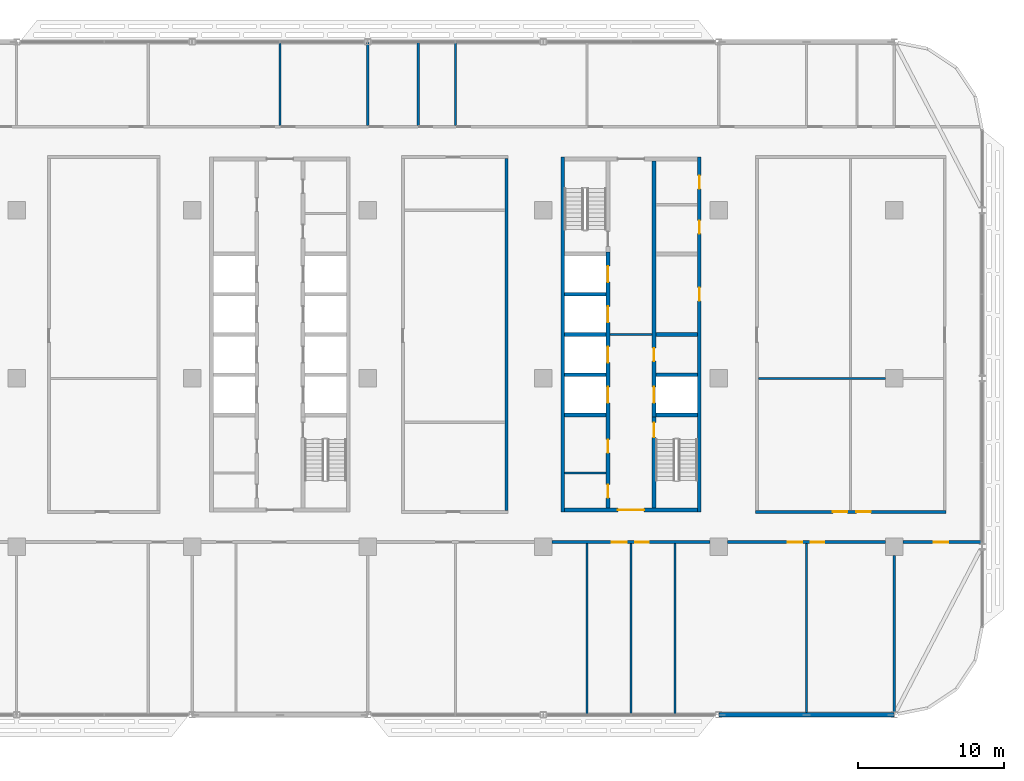
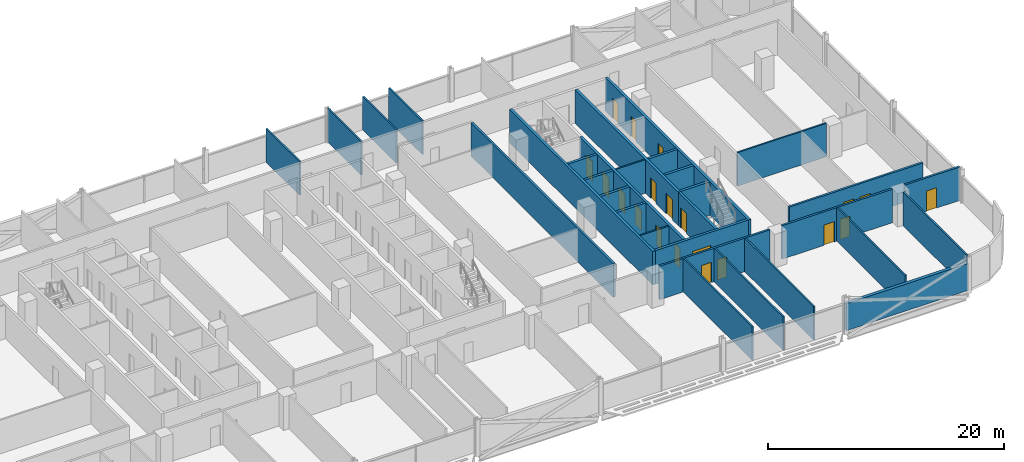
# One storey, part 15 of 27: 31 walls, 20 doors, 20 openings.
"""IFC4 building model written with IfcOpenShell, lengths in metres."""

import ifcopenshell
import ifcopenshell.guid

model = None  # the IFC model being written
_history = None  # IfcOwnerHistory: only IFC2X3 demands one
_inside = {}  # id of a spatial element -> (the spatial element, [elements in it])
_under = {}  # id of a project, library or spatial element -> (it, [spatial elements below it])
_declared = {}  # id of a project -> (the project, [libraries it declares])
_typed = {}  # id of a type object -> (the type object, [elements of that type])
_made_of = {}  # id of a material, layer set ... -> (it, [elements and type objects made of it])


def new_model(schema):
    """Start an empty IFC model of exactly this schema.

    Asked for "IFC4X3", IfcOpenShell would pick the latest addendum, in which some entities
    have other attributes; the version numbers below select the first issue.
    IFC2X3 requires an IfcOwnerHistory on every rooted entity: one is made here for all.
    """
    global model, _history
    if schema == "IFC4X3":
        model = ifcopenshell.file(schema_version=(4, 3, 0, 0))
    else:
        model = ifcopenshell.file(schema=schema)
    _inside.clear()
    _under.clear()
    _declared.clear()
    _typed.clear()
    _made_of.clear()
    _history = None
    if model.schema == "IFC2X3":
        org = make("IfcOrganization", Name="unknown")
        user = make(
            "IfcPersonAndOrganization",
            ThePerson=make("IfcPerson", FamilyName="unknown"),
            TheOrganization=org,
        )
        app = make(
            "IfcApplication",
            ApplicationDeveloper=org,
            Version="unknown",
            ApplicationFullName="unknown",
            ApplicationIdentifier="unknown",
        )
        _history = make(
            "IfcOwnerHistory",
            OwningUser=user,
            OwningApplication=app,
            ChangeAction="ADDED",
            CreationDate=0,
        )
    return model


def make(cls, **values):
    """One entity of the class cls with the attributes given. An attribute that is None is left unset."""
    return model.create_entity(
        cls, **{name: value for name, value in values.items() if value is not None}
    )


def rooted(cls, **values):
    """An entity with a GlobalId (a new one), such as an element, a storey or a relation."""
    return make(cls, GlobalId=ifcopenshell.guid.new(), OwnerHistory=_history, **values)


def si_unit(unit_type, name, prefix=None):
    """IfcSIUnit, for example si_unit("LENGTHUNIT", "METRE", prefix="MILLI")."""
    return make("IfcSIUnit", UnitType=unit_type, Prefix=prefix, Name=name)


def assignment(units):
    """IfcUnitAssignment: the units of a project."""
    return None if units is None else make("IfcUnitAssignment", Units=units)


def point(xyz):
    """IfcCartesianPoint."""
    return None if xyz is None else make("IfcCartesianPoint", Coordinates=xyz)


def direction(xyz):
    """IfcDirection."""
    return None if xyz is None else make("IfcDirection", DirectionRatios=xyz)


def frame(location, z_axis=None, x_axis=None):
    """IfcAxis2Placement3D, a coordinate frame: its origin and axes. An axis left out is left unset."""
    return make(
        "IfcAxis2Placement3D",
        Location=point(location),
        Axis=direction(z_axis),
        RefDirection=direction(x_axis),
    )


def frame_2d(location, x_axis=None):
    """IfcAxis2Placement2D, a coordinate frame in the plane: its origin and x axis."""
    return make(
        "IfcAxis2Placement2D", Location=point(location), RefDirection=direction(x_axis)
    )


def origin():
    """The frame at (0, 0, 0) with its axes left unset."""
    return frame((0.0, 0.0, 0.0))


def place(relative_to, where):
    """IfcLocalPlacement: puts the frame where relative to a parent placement (None: the world)."""
    return make(
        "IfcLocalPlacement", PlacementRelTo=relative_to, RelativePlacement=where
    )


def context(
    kind, dimensions, precision=None, world=None, true_north=None, identifier=None
):
    """IfcGeometricRepresentationContext, for example the 3D "Model" context."""
    return make(
        "IfcGeometricRepresentationContext",
        ContextIdentifier=identifier,
        ContextType=kind,
        CoordinateSpaceDimension=dimensions,
        Precision=precision,
        WorldCoordinateSystem=world,
        TrueNorth=true_north,
    )


def subcontext(parent, identifier, kind, view, scale=None):
    """IfcGeometricRepresentationSubContext, for example "Body" below "Model"."""
    return make(
        "IfcGeometricRepresentationSubContext",
        ContextIdentifier=identifier,
        ContextType=kind,
        ParentContext=parent,
        TargetScale=scale,
        TargetView=view,
    )


def project(units=None, contexts=None):
    """IfcProject with its units and contexts."""
    return rooted(
        "IfcProject",
        Name="project",
        RepresentationContexts=contexts,
        UnitsInContext=assignment(units),
    )


def spatial(cls, under=None, at=None, **own):
    """A site, building, storey or space (cls), placed at a placement, below another one or the project."""
    s = rooted(cls, ObjectPlacement=at, **own)
    if under is not None:
        _under.setdefault(under.id(), (under, []))[1].append(s)
    return s


def profile(cls, at=None, kind="AREA", **sizes):
    """A parametric profile (cls). Its sizes go by their IFC names, for example OverallWidth=200.0."""
    return make(cls, ProfileType=kind, Position=at, **sizes)


def rectangle(**sizes):
    """IfcRectangleProfileDef."""
    return profile("IfcRectangleProfileDef", **sizes)


def extrude(swept, where, along, depth):
    """IfcExtrudedAreaSolid: the profile swept, set in the frame where, extruded along a direction by depth."""
    return make(
        "IfcExtrudedAreaSolid",
        SweptArea=swept,
        Position=where,
        ExtrudedDirection=direction(along),
        Depth=depth,
    )


def shape(context_of_items, identifier, shape_type, items):
    """IfcShapeRepresentation: the items that make up one representation, for example the "Body"."""
    return make(
        "IfcShapeRepresentation",
        ContextOfItems=context_of_items,
        RepresentationIdentifier=identifier,
        RepresentationType=shape_type,
        Items=items,
    )


def material(Name=None, Category=None):
    """IfcMaterial."""
    return make("IfcMaterial", Name=Name, Category=Category)


def layer(
    of_material, thickness, ventilated=None, Name=None, Category=None, Priority=None
):
    """IfcMaterialLayer: one layer of a wall or slab, of a material (None: an air gap)."""
    return make(
        "IfcMaterialLayer",
        Material=of_material,
        LayerThickness=thickness,
        IsVentilated=ventilated,
        Name=Name,
        Category=Category,
        Priority=Priority,
    )


def layer_set(layers, Name=None):
    """IfcMaterialLayerSet."""
    return make("IfcMaterialLayerSet", MaterialLayers=layers, LayerSetName=Name)


def made_of(thing, what):
    """Note that an element or type object is made of a material, layer set ...; save() writes the relation."""
    if what is not None:
        _made_of.setdefault(what.id(), (what, []))[1].append(thing)
    return thing


def type_object(cls, material=None, **own):
    """A type object (cls), such as IfcWallType, which elements share."""
    return made_of(rooted(cls, **own), material)


def element(
    cls,
    number,
    at=None,
    inside=None,
    cuts=None,
    type_object=None,
    material=None,
    context=None,
    identifier="Body",
    shape_type=None,
    held_by="IfcProductDefinitionShape",
    body=None,
    shapes=None,
    **own,
):
    """One element of the class cls, such as IfcWall. Its Tag is "e" and its number.

    at: its placement. inside: the storey or other place that contains it. cuts: it is an
    opening in that element (IfcRelVoidsElement). A single representation is given by context,
    identifier, shape_type and body (its items); several are given by shapes. held_by: the class
    of the entity that holds the representations. save() writes the other relations.
    """
    e = rooted(cls, Tag="e%d" % number, ObjectPlacement=at, **own)
    if body is not None:
        shapes = [shape(context, identifier, shape_type, body)]
    if shapes is not None:
        e.Representation = make(held_by, Representations=shapes)
    if inside is not None:
        _inside.setdefault(inside.id(), (inside, []))[1].append(e)
    if cuts is not None:
        rooted(
            "IfcRelVoidsElement", RelatingBuildingElement=cuts, RelatedOpeningElement=e
        )
    if type_object is not None:
        _typed.setdefault(type_object.id(), (type_object, []))[1].append(e)
    return made_of(e, material)


def fill(opening, filler):
    """IfcRelFillsElement: the door or window that sits in an opening."""
    return rooted(
        "IfcRelFillsElement",
        RelatingOpeningElement=opening,
        RelatedBuildingElement=filler,
    )


def aggregate(whole, parts):
    """IfcRelAggregates: a whole, such as a stair, and the parts it consists of."""
    return rooted("IfcRelAggregates", RelatingObject=whole, RelatedObjects=parts)


def save(model, path):
    """Write the relations noted so far, then the file.

    IfcRelAggregates (storeys below a building ...), IfcRelContainedInSpatialStructure (elements
    in a storey), IfcRelDefinesByType, IfcRelAssociatesMaterial and IfcRelDeclares: one each for
    every whole, place, type object, material and project.
    """
    for whole, parts in _under.values():
        aggregate(whole, parts)
    for where, things in _inside.values():
        rooted(
            "IfcRelContainedInSpatialStructure",
            RelatedElements=things,
            RelatingStructure=where,
        )
    for kind, things in _typed.values():
        rooted("IfcRelDefinesByType", RelatedObjects=things, RelatingType=kind)
    for what, things in _made_of.values():
        rooted("IfcRelAssociatesMaterial", RelatedObjects=things, RelatingMaterial=what)
    for by, libraries in _declared.values():
        rooted("IfcRelDeclares", RelatingContext=by, RelatedDefinitions=libraries)
    model.write(path)


model = new_model("IFC4")

# Units and contexts
model_context = context("Model", 3, precision=1e-05, world=origin(), true_north=direction((0.0, 1.0)))
body_context = subcontext(model_context, "Body", "Model", "MODEL_VIEW")
ifc_project = project(units=[si_unit("LENGTHUNIT", "METRE"), si_unit("AREAUNIT", "SQUARE_METRE"), si_unit("VOLUMEUNIT", "CUBIC_METRE"), si_unit("PLANEANGLEUNIT", "RADIAN"), si_unit("MASSUNIT", "GRAM", prefix="KILO")], contexts=[model_context])

# Site, building, storey
site_placement = place(None, origin())
site = spatial("IfcSite", under=ifc_project, at=site_placement, CompositionType="ELEMENT")
building_placement = place(site_placement, origin())
building = spatial("IfcBuilding", under=site, at=building_placement, Name="Mahtab Terrace Research Tower", CompositionType="ELEMENT")
storey_placement = place(building_placement, frame((0.0, 0.0, 182.0)))
storey = spatial("IfcBuildingStorey", under=building, at=storey_placement, Name="L43", CompositionType="ELEMENT", Elevation=182.0)

# Walls
ifc_material_1 = material(Name="Gypsum board partition")
ifc_layer_1 = layer(ifc_material_1, 0.14990234375)
ifc_layer_set_1 = layer_set([ifc_layer_1], Name="Core partition 150")
wall_type_1 = type_object("IfcWallType", Name="Core partition 150", PredefinedType="PARTITIONING", material=ifc_layer_set_1)
wall_1_placement = place(storey_placement, frame((22.550048828125, 3.0, 0.0), z_axis=(0.0, 0.0, 1.0), x_axis=(1.0, 0.0, 0.0)))
element("IfcWall", 1, at=wall_1_placement, inside=storey, type_object=wall_type_1, Name="Core wall C ffl", PredefinedType="PARTITIONING", context=body_context, shape_type="SweptSolid", body=[
    extrude(rectangle(XDim=2.89990234375, YDim=0.14990234375, at=frame_2d((1.449951171875, 0.0))), origin(), (0.0, 0.0, 1.0), 3.4599609375),
])
wall_2_placement = place(storey_placement, frame((19.449951171875, -6.47509765625, 0.0), z_axis=(0.0, 0.0, 1.0), x_axis=(1.0, 0.0, 0.0)))
element("IfcWall", 2, at=wall_2_placement, inside=storey, type_object=wall_type_1, Name="Core wall C pWS-948", PredefinedType="PARTITIONING", context=body_context, shape_type="SweptSolid", body=[
    extrude(rectangle(XDim=2.85009765625, YDim=0.14990234375, at=frame_2d((1.425048828125, 0.0))), origin(), (0.0, 0.0, 1.0), 3.4599609375),
])
ifc_material_2 = material(Name="Concrete C70/85", Category="concrete")
ifc_layer_2 = layer(ifc_material_2, 0.25)
ifc_layer_set_2 = layer_set([ifc_layer_2], Name="Core wall 250")
wall_type_2 = type_object("IfcWallType", Name="Core wall 250", PredefinedType="SOLIDWALL", material=ifc_layer_set_2)
wall_3_placement = place(storey_placement, frame((19.324951171875, 15.125, 0.0), z_axis=(0.0, 0.0, 1.0), x_axis=(0.0, -1.0, 0.0)))
element("IfcWall", 3, at=wall_3_placement, inside=storey, type_object=wall_type_2, Name="Core wall C outerW", PredefinedType="SOLIDWALL", context=body_context, shape_type="SweptSolid", body=[
    extrude(rectangle(XDim=24.25, YDim=0.25, at=frame_2d((12.125, 0.0))), origin(), (0.0, 0.0, 1.0), 3.4599609375),
])

# Wall, openings, doors
wall_4_placement = place(storey_placement, frame((28.675048828125, -9.125, 0.0), z_axis=(0.0, 0.0, 1.0), x_axis=(0.0, 1.0, 0.0)))
wall_4 = element("IfcWall", 4, at=wall_4_placement, inside=storey, type_object=wall_type_2, Name="Core wall C outerE", PredefinedType="SOLIDWALL", context=body_context, shape_type="SweptSolid", body=[
    extrude(rectangle(XDim=24.25, YDim=0.25, at=frame_2d((12.125, 0.0))), origin(), (0.0, 0.0, 1.0), 3.4599609375),
])
opening_1_placement = place(wall_4_placement, frame((14.425048828125, 0.0, 0.0)))
opening_1 = element("IfcOpeningElement", 5, at=opening_1_placement, cuts=wall_4, Name="Opening C-R2", PredefinedType="OPENING", context=body_context, shape_type="SweptSolid", body=[
    extrude(rectangle(XDim=0.89990234375, YDim=2.10009765625, at=frame_2d((0.449951171875, 1.050048828125))), frame((0.0, 0.135009765625, 0.0), z_axis=(0.0, -1.0, 0.0), x_axis=(1.0, 0.0, 0.0)), (0.0, 0.0, 1.0), 0.27001953125),
])
opening_2_placement = place(wall_4_placement, frame((19.012451171875, 0.0, 0.0)))
opening_2 = element("IfcOpeningElement", 6, at=opening_2_placement, cuts=wall_4, Name="Opening C-R5", PredefinedType="OPENING", context=body_context, shape_type="SweptSolid", body=[
    extrude(rectangle(XDim=0.89990234375, YDim=2.10009765625, at=frame_2d((0.449951171875, 1.050048828125))), frame((0.0, 0.135009765625, 0.0), z_axis=(0.0, -1.0, 0.0), x_axis=(1.0, 0.0, 0.0)), (0.0, 0.0, 1.0), 0.27001953125),
])
opening_3_placement = place(wall_4_placement, frame((22.08740234375, 0.0, 0.0)))
opening_3 = element("IfcOpeningElement", 7, at=opening_3_placement, cuts=wall_4, Name="Opening C-R6", PredefinedType="OPENING", context=body_context, shape_type="SweptSolid", body=[
    extrude(rectangle(XDim=0.89990234375, YDim=2.10009765625, at=frame_2d((0.449951171875, 1.050048828125))), frame((0.0, 0.135009765625, 0.0), z_axis=(0.0, -1.0, 0.0), x_axis=(1.0, 0.0, 0.0)), (0.0, 0.0, 1.0), 0.27001953125),
])
ifc_material_3 = material(Name="Steel fire door", Category="steel")
door_type_1 = type_object("IfcDoorType", Name="Room door 900x2100 1 HR", OperationType="NOTDEFINED", PredefinedType="DOOR", material=ifc_material_3)
door_1_placement = place(opening_1_placement, origin())
door_1 = element("IfcDoor", 8, at=door_1_placement, inside=storey, type_object=door_type_1, Name="Plant room door", OperationType="SINGLE_SWING_RIGHT", OverallHeight=2.10009765625, OverallWidth=0.89990234375, PredefinedType="DOOR", context=body_context, shape_type="SweptSolid", body=[
    extrude(rectangle(XDim=0.89990234375, YDim=2.10009765625, at=frame_2d((0.449951171875, 1.050048828125))), frame((0.0, 0.02490234375, 0.0), z_axis=(0.0, -1.0, 0.0), x_axis=(1.0, 0.0, 0.0)), (0.0, 0.0, 1.0), 0.050048828125),
])
fill(opening_1, door_1)
door_2_placement = place(opening_2_placement, origin())
door_2 = element("IfcDoor", 9, at=door_2_placement, inside=storey, type_object=door_type_1, Name="Housekeeping store door", OperationType="SINGLE_SWING_LEFT", OverallHeight=2.10009765625, OverallWidth=0.89990234375, PredefinedType="DOOR", context=body_context, shape_type="SweptSolid", body=[
    extrude(rectangle(XDim=0.89990234375, YDim=2.10009765625, at=frame_2d((0.449951171875, 1.050048828125))), frame((0.0, 0.02490234375, 0.0), z_axis=(0.0, -1.0, 0.0), x_axis=(1.0, 0.0, 0.0)), (0.0, 0.0, 1.0), 0.050048828125),
])
fill(opening_2, door_2)
door_3_placement = place(opening_3_placement, origin())
door_3 = element("IfcDoor", 10, at=door_3_placement, inside=storey, type_object=door_type_1, Name="Electrical riser room door", OperationType="SINGLE_SWING_RIGHT", OverallHeight=2.10009765625, OverallWidth=0.89990234375, PredefinedType="DOOR", context=body_context, shape_type="SweptSolid", body=[
    extrude(rectangle(XDim=0.89990234375, YDim=2.10009765625, at=frame_2d((0.449951171875, 1.050048828125))), frame((0.0, 0.02490234375, 0.0), z_axis=(0.0, -1.0, 0.0), x_axis=(1.0, 0.0, 0.0)), (0.0, 0.0, 1.0), 0.050048828125),
])
fill(opening_3, door_3)

# Wall, opening, door
wall_5_placement = place(storey_placement, frame((28.550048828125, -9.0, 0.0), z_axis=(0.0, 0.0, 1.0), x_axis=(-1.0, 0.0, 0.0)))
wall_5 = element("IfcWall", 11, at=wall_5_placement, inside=storey, type_object=wall_type_2, Name="Core wall C endS", PredefinedType="SOLIDWALL", context=body_context, shape_type="SweptSolid", body=[
    extrude(rectangle(XDim=9.10009765625, YDim=0.25, at=frame_2d((4.550048828125, 0.0))), origin(), (0.0, 0.0, 1.0), 3.4599609375),
])
opening_4_placement = place(wall_5_placement, frame((3.64990234375, 0.0, 0.0)))
opening_4 = element("IfcOpeningElement", 12, at=opening_4_placement, cuts=wall_5, Name="Opening C-S1", PredefinedType="OPENING", context=body_context, shape_type="SweptSolid", body=[
    extrude(rectangle(XDim=1.800048828125, YDim=2.10009765625, at=frame_2d((0.89990234375, 1.050048828125))), frame((0.0, 0.135009765625, 0.0), z_axis=(0.0, -1.0, 0.0), x_axis=(1.0, 0.0, 0.0)), (0.0, 0.0, 1.0), 0.27001953125),
])
door_type_2 = type_object("IfcDoorType", Name="Lobby double door 1800x2100 1 HR", OperationType="DOUBLE_DOOR_SINGLE_SWING", PredefinedType="DOOR", material=ifc_material_3)
door_4_placement = place(opening_4_placement, origin())
door_4 = element("IfcDoor", 13, at=door_4_placement, inside=storey, type_object=door_type_2, Name="Core entrance door C S", OperationType="DOUBLE_DOOR_SINGLE_SWING", OverallHeight=2.10009765625, OverallWidth=1.800048828125, PredefinedType="DOOR", context=body_context, shape_type="SweptSolid", body=[
    extrude(rectangle(XDim=1.800048828125, YDim=2.10009765625, at=frame_2d((0.89990234375, 1.050048828125))), frame((0.0, 0.02490234375, 0.0), z_axis=(0.0, -1.0, 0.0), x_axis=(1.0, 0.0, 0.0)), (0.0, 0.0, 1.0), 0.050048828125),
])
fill(opening_4, door_4)

# Wall, openings, doors
wall_6_placement = place(storey_placement, frame((22.425048828125, -8.875, 0.0), z_axis=(0.0, 0.0, 1.0), x_axis=(0.0, 1.0, 0.0)))
wall_6 = element("IfcWall", 14, at=wall_6_placement, inside=storey, type_object=wall_type_2, Name="Core wall C innerWSL", PredefinedType="SOLIDWALL", context=body_context, shape_type="SweptSolid", body=[
    extrude(rectangle(XDim=17.5, YDim=0.25, at=frame_2d((8.75, 0.0))), origin(), (0.0, 0.0, 1.0), 3.4599609375),
])
opening_5_placement = place(wall_6_placement, frame((7.199951171875, 0.0, 0.0)))
opening_5 = element("IfcOpeningElement", 15, at=opening_5_placement, cuts=wall_6, Name="Opening LD17-L43", PredefinedType="OPENING", context=body_context, shape_type="SweptSolid", body=[
    extrude(rectangle(XDim=1.10009765625, YDim=2.10009765625, at=frame_2d((0.550048828125, 1.050048828125))), frame((0.0, 0.135009765625, 0.0), z_axis=(0.0, -1.0, 0.0), x_axis=(1.0, 0.0, 0.0)), (0.0, 0.0, 1.0), 0.27001953125),
])
opening_6_placement = place(wall_6_placement, frame((9.949951171875, 0.0, 0.0)))
opening_6 = element("IfcOpeningElement", 16, at=opening_6_placement, cuts=wall_6, Name="Opening LD18-L43", PredefinedType="OPENING", context=body_context, shape_type="SweptSolid", body=[
    extrude(rectangle(XDim=1.10009765625, YDim=2.10009765625, at=frame_2d((0.550048828125, 1.050048828125))), frame((0.0, 0.135009765625, 0.0), z_axis=(0.0, -1.0, 0.0), x_axis=(1.0, 0.0, 0.0)), (0.0, 0.0, 1.0), 0.27001953125),
])
opening_7_placement = place(wall_6_placement, frame((12.699951171875, 0.0, 0.0)))
opening_7 = element("IfcOpeningElement", 17, at=opening_7_placement, cuts=wall_6, Name="Opening LD19-L43", PredefinedType="OPENING", context=body_context, shape_type="SweptSolid", body=[
    extrude(rectangle(XDim=1.10009765625, YDim=2.10009765625, at=frame_2d((0.550048828125, 1.050048828125))), frame((0.0, 0.135009765625, 0.0), z_axis=(0.0, -1.0, 0.0), x_axis=(1.0, 0.0, 0.0)), (0.0, 0.0, 1.0), 0.27001953125),
])
opening_8_placement = place(wall_6_placement, frame((15.449951171875, 0.0, 0.0)))
opening_8 = element("IfcOpeningElement", 18, at=opening_8_placement, cuts=wall_6, Name="Opening LD20-L43", PredefinedType="OPENING", context=body_context, shape_type="SweptSolid", body=[
    extrude(rectangle(XDim=1.10009765625, YDim=2.10009765625, at=frame_2d((0.550048828125, 1.050048828125))), frame((0.0, 0.135009765625, 0.0), z_axis=(0.0, -1.0, 0.0), x_axis=(1.0, 0.0, 0.0)), (0.0, 0.0, 1.0), 0.27001953125),
])
opening_9_placement = place(wall_6_placement, frame((0.71240234375, 0.0, 0.0)))
opening_9 = element("IfcOpeningElement", 19, at=opening_9_placement, cuts=wall_6, Name="Opening C-R3", PredefinedType="OPENING", context=body_context, shape_type="SweptSolid", body=[
    extrude(rectangle(XDim=0.89990234375, YDim=2.10009765625, at=frame_2d((0.449951171875, 1.050048828125))), frame((0.0, 0.135009765625, 0.0), z_axis=(0.0, -1.0, 0.0), x_axis=(1.0, 0.0, 0.0)), (0.0, 0.0, 1.0), 0.27001953125),
])
opening_10_placement = place(wall_6_placement, frame((3.78759765625, 0.0, 0.0)))
opening_10 = element("IfcOpeningElement", 20, at=opening_10_placement, cuts=wall_6, Name="Opening C-R4", PredefinedType="OPENING", context=body_context, shape_type="SweptSolid", body=[
    extrude(rectangle(XDim=0.89990234375, YDim=2.10009765625, at=frame_2d((0.449951171875, 1.050048828125))), frame((0.0, 0.135009765625, 0.0), z_axis=(0.0, -1.0, 0.0), x_axis=(1.0, 0.0, 0.0)), (0.0, 0.0, 1.0), 0.27001953125),
])
ifc_material_4 = material(Name="Stainless steel AISI 304", Category="steel")
door_type_3 = type_object("IfcDoorType", Name="Landing door 1100x2100", OperationType="DOUBLE_DOOR_SLIDING", PredefinedType="DOOR", material=ifc_material_4)
door_5_placement = place(opening_5_placement, origin())
door_5 = element("IfcDoor", 21, at=door_5_placement, inside=storey, type_object=door_type_3, Name="Landing door SV1 L43", OperationType="DOUBLE_DOOR_SLIDING", OverallHeight=2.10009765625, OverallWidth=1.10009765625, PredefinedType="DOOR", context=body_context, shape_type="SweptSolid", body=[
    extrude(rectangle(XDim=1.10009765625, YDim=2.10009765625, at=frame_2d((0.550048828125, 1.050048828125))), frame((0.0, 0.02490234375, 0.0), z_axis=(0.0, -1.0, 0.0), x_axis=(1.0, 0.0, 0.0)), (0.0, 0.0, 1.0), 0.050048828125),
])
fill(opening_5, door_5)
door_6_placement = place(opening_6_placement, origin())
door_6 = element("IfcDoor", 22, at=door_6_placement, inside=storey, type_object=door_type_3, Name="Landing door SV2 L43", OperationType="DOUBLE_DOOR_SLIDING", OverallHeight=2.10009765625, OverallWidth=1.10009765625, PredefinedType="DOOR", context=body_context, shape_type="SweptSolid", body=[
    extrude(rectangle(XDim=1.10009765625, YDim=2.10009765625, at=frame_2d((0.550048828125, 1.050048828125))), frame((0.0, 0.02490234375, 0.0), z_axis=(0.0, -1.0, 0.0), x_axis=(1.0, 0.0, 0.0)), (0.0, 0.0, 1.0), 0.050048828125),
])
fill(opening_6, door_6)
door_7_placement = place(opening_7_placement, origin())
door_7 = element("IfcDoor", 23, at=door_7_placement, inside=storey, type_object=door_type_3, Name="Landing door FF1 L43", OperationType="DOUBLE_DOOR_SLIDING", OverallHeight=2.10009765625, OverallWidth=1.10009765625, PredefinedType="DOOR", context=body_context, shape_type="SweptSolid", body=[
    extrude(rectangle(XDim=1.10009765625, YDim=2.10009765625, at=frame_2d((0.550048828125, 1.050048828125))), frame((0.0, 0.02490234375, 0.0), z_axis=(0.0, -1.0, 0.0), x_axis=(1.0, 0.0, 0.0)), (0.0, 0.0, 1.0), 0.050048828125),
])
fill(opening_7, door_7)
door_8_placement = place(opening_8_placement, origin())
door_8 = element("IfcDoor", 24, at=door_8_placement, inside=storey, type_object=door_type_3, Name="Landing door FF2 L43", OperationType="DOUBLE_DOOR_SLIDING", OverallHeight=2.10009765625, OverallWidth=1.10009765625, PredefinedType="DOOR", context=body_context, shape_type="SweptSolid", body=[
    extrude(rectangle(XDim=1.10009765625, YDim=2.10009765625, at=frame_2d((0.550048828125, 1.050048828125))), frame((0.0, 0.02490234375, 0.0), z_axis=(0.0, -1.0, 0.0), x_axis=(1.0, 0.0, 0.0)), (0.0, 0.0, 1.0), 0.050048828125),
])
fill(opening_8, door_8)
door_9_placement = place(opening_9_placement, origin())
door_9 = element("IfcDoor", 25, at=door_9_placement, inside=storey, type_object=door_type_1, Name="Accessible WC door", OperationType="SINGLE_SWING_LEFT", OverallHeight=2.10009765625, OverallWidth=0.89990234375, PredefinedType="DOOR", context=body_context, shape_type="SweptSolid", body=[
    extrude(rectangle(XDim=0.89990234375, YDim=2.10009765625, at=frame_2d((0.449951171875, 1.050048828125))), frame((0.0, 0.02490234375, 0.0), z_axis=(0.0, -1.0, 0.0), x_axis=(1.0, 0.0, 0.0)), (0.0, 0.0, 1.0), 0.050048828125),
])
fill(opening_9, door_9)
door_10_placement = place(opening_10_placement, origin())
door_10 = element("IfcDoor", 26, at=door_10_placement, inside=storey, type_object=door_type_1, Name="WC block door", OperationType="SINGLE_SWING_RIGHT", OverallHeight=2.10009765625, OverallWidth=0.89990234375, PredefinedType="DOOR", context=body_context, shape_type="SweptSolid", body=[
    extrude(rectangle(XDim=0.89990234375, YDim=2.10009765625, at=frame_2d((0.449951171875, 1.050048828125))), frame((0.0, 0.02490234375, 0.0), z_axis=(0.0, -1.0, 0.0), x_axis=(1.0, 0.0, 0.0)), (0.0, 0.0, 1.0), 0.050048828125),
])
fill(opening_10, door_10)

# Wall, opening, door
wall_7_placement = place(storey_placement, frame((25.574951171875, -8.875, 0.0), z_axis=(0.0, 0.0, 1.0), x_axis=(0.0, 1.0, 0.0)))
wall_7 = element("IfcWall", 27, at=wall_7_placement, inside=storey, type_object=wall_type_2, Name="Core wall C innerES", PredefinedType="SOLIDWALL", context=body_context, shape_type="SweptSolid", body=[
    extrude(rectangle(XDim=6.25, YDim=0.25, at=frame_2d((3.125, 0.0))), origin(), (0.0, 0.0, 1.0), 3.4599609375),
])
opening_11_placement = place(wall_7_placement, frame((4.85009765625, 0.0, 0.0)))
opening_11 = element("IfcOpeningElement", 28, at=opening_11_placement, cuts=wall_7, Name="Opening C-ST4", PredefinedType="OPENING", context=body_context, shape_type="SweptSolid", body=[
    extrude(rectangle(XDim=1.0, YDim=2.10009765625, at=frame_2d((0.5, 1.050048828125))), frame((0.0, 0.135009765625, 0.0), z_axis=(0.0, -1.0, 0.0), x_axis=(1.0, 0.0, 0.0)), (0.0, 0.0, 1.0), 0.27001953125),
])
door_type_4 = type_object("IfcDoorType", Name="Stair door 1000x2100 1.5 HR", OperationType="NOTDEFINED", PredefinedType="DOOR", material=ifc_material_3)
door_11_placement = place(opening_11_placement, origin())
door_11 = element("IfcDoor", 29, at=door_11_placement, inside=storey, type_object=door_type_4, Name="Stair door ST4 L43", OperationType="SINGLE_SWING_RIGHT", OverallHeight=2.10009765625, OverallWidth=1.0, PredefinedType="DOOR", context=body_context, shape_type="SweptSolid", body=[
    extrude(rectangle(XDim=1.0, YDim=2.10009765625, at=frame_2d((0.5, 1.050048828125))), frame((0.0, 0.02490234375, 0.0), z_axis=(0.0, -1.0, 0.0), x_axis=(1.0, 0.0, 0.0)), (0.0, 0.0, 1.0), 0.050048828125),
])
fill(opening_11, door_11)

# Wall, openings, doors
wall_8_placement = place(storey_placement, frame((25.574951171875, 14.875, 0.0), z_axis=(0.0, 0.0, 1.0), x_axis=(0.0, -1.0, 0.0)))
wall_8 = element("IfcWall", 30, at=wall_8_placement, inside=storey, type_object=wall_type_2, Name="Core wall C innerELN", PredefinedType="SOLIDWALL", context=body_context, shape_type="SweptSolid", body=[
    extrude(rectangle(XDim=17.5, YDim=0.25, at=frame_2d((8.75, 0.0))), origin(), (0.0, 0.0, 1.0), 3.4599609375),
])
opening_12_placement = place(wall_8_placement, frame((15.449951171875, 0.0, 0.0)))
opening_12 = element("IfcOpeningElement", 31, at=opening_12_placement, cuts=wall_8, Name="Opening LD21-L43", PredefinedType="OPENING", context=body_context, shape_type="SweptSolid", body=[
    extrude(rectangle(XDim=1.10009765625, YDim=2.10009765625, at=frame_2d((0.550048828125, 1.050048828125))), frame((0.0, 0.135009765625, 0.0), z_axis=(0.0, -1.0, 0.0), x_axis=(1.0, 0.0, 0.0)), (0.0, 0.0, 1.0), 0.27001953125),
])
opening_13_placement = place(wall_8_placement, frame((12.800048828125, 0.0, 0.0)))
opening_13 = element("IfcOpeningElement", 32, at=opening_13_placement, cuts=wall_8, Name="Opening C-R1", PredefinedType="OPENING", context=body_context, shape_type="SweptSolid", body=[
    extrude(rectangle(XDim=0.89990234375, YDim=2.10009765625, at=frame_2d((0.449951171875, 1.050048828125))), frame((0.0, 0.135009765625, 0.0), z_axis=(0.0, -1.0, 0.0), x_axis=(1.0, 0.0, 0.0)), (0.0, 0.0, 1.0), 0.27001953125),
])
door_12_placement = place(opening_12_placement, origin())
door_12 = element("IfcDoor", 33, at=door_12_placement, inside=storey, type_object=door_type_3, Name="Landing door SV3 L43", OperationType="DOUBLE_DOOR_SLIDING", OverallHeight=2.10009765625, OverallWidth=1.10009765625, PredefinedType="DOOR", context=body_context, shape_type="SweptSolid", body=[
    extrude(rectangle(XDim=1.10009765625, YDim=2.10009765625, at=frame_2d((0.550048828125, 1.050048828125))), frame((0.0, 0.02490234375, 0.0), z_axis=(0.0, -1.0, 0.0), x_axis=(1.0, 0.0, 0.0)), (0.0, 0.0, 1.0), 0.050048828125),
])
fill(opening_12, door_12)
door_13_placement = place(opening_13_placement, origin())
door_13 = element("IfcDoor", 34, at=door_13_placement, inside=storey, type_object=door_type_1, Name="Plant room door", OperationType="SINGLE_SWING_LEFT", OverallHeight=2.10009765625, OverallWidth=0.89990234375, PredefinedType="DOOR", context=body_context, shape_type="SweptSolid", body=[
    extrude(rectangle(XDim=0.89990234375, YDim=2.10009765625, at=frame_2d((0.449951171875, 1.050048828125))), frame((0.0, 0.02490234375, 0.0), z_axis=(0.0, -1.0, 0.0), x_axis=(1.0, 0.0, 0.0)), (0.0, 0.0, 1.0), 0.050048828125),
])
fill(opening_13, door_13)

# Walls
for number, where, z_axis, x_axis, name in (
    (35, (19.449951171875, -2.5, 0.0), (0.0, 0.0, 1.0), (1.0, 0.0, 0.0), "Core wall C divW0"),
    (36, (19.449951171875, 0.25, 0.0), (0.0, 0.0, 1.0), (1.0, 0.0, 0.0), "Core wall C divW1"),
    (37, (19.449951171875, 3.0, 0.0), (0.0, 0.0, 1.0), (1.0, 0.0, 0.0), "Core wall C divW2"),
    (38, (19.449951171875, 5.75, 0.0), (0.0, 0.0, 1.0), (1.0, 0.0, 0.0), "Core wall C divW3"),
    (39, (25.699951171875, -2.5, 0.0), (0.0, 0.0, 1.0), (1.0, 0.0, 0.0), "Core wall C divE0"),
    (40, (25.699951171875, 0.25, 0.0), (0.0, 0.0, 1.0), (1.0, 0.0, 0.0), "Core wall C divE1"),
    (41, (25.699951171875, 3.0, 0.0), (0.0, 0.0, 1.0), (1.0, 0.0, 0.0), "Core wall C divE2"),
):
    element("IfcWall", number, at=place(storey_placement, frame(where, z_axis=z_axis, x_axis=x_axis)), inside=storey, type_object=wall_type_2, Name=name, PredefinedType="SOLIDWALL", context=body_context, shape_type="SweptSolid", body=[
        extrude(rectangle(XDim=2.85009765625, YDim=0.25, at=frame_2d((1.425048828125, 0.0))), origin(), (0.0, 0.0, 1.0), 3.4599609375),
    ])
ifc_material_5 = material(Name="Black aluminium cladding panel", Category="aluminium")
ifc_layer_3 = layer(ifc_material_5, 0.300048828125)
ifc_layer_set_3 = layer_set([ifc_layer_3], Name="Opaque facade wall 300")
wall_type_3 = type_object("IfcWallType", Name="Opaque facade wall 300", PredefinedType="NOTDEFINED", material=ifc_layer_set_3)
wall_9_placement = place(storey_placement, frame((30.014892578125, -23.0, 0.0), z_axis=(0.0, 0.0, 1.0), x_axis=(1.0, 0.0, 0.0)))
element("IfcWall", 42, at=wall_9_placement, inside=storey, type_object=wall_type_3, Name="Opaque facade wall L43 S29", PredefinedType="NOTDEFINED", context=body_context, shape_type="SweptSolid", body=[
    extrude(rectangle(XDim=11.97021484375, YDim=0.300048828125, at=frame_2d((5.985107421875, 0.0))), origin(), (0.0, 0.0, 1.0), 2.78173828125),
])

# Wall, openings, doors
ifc_material_6 = material(Name="Gypsum board corridor wall on steel studs", Category="steel")
ifc_layer_4 = layer(ifc_material_6, 0.199951171875)
ifc_layer_set_4 = layer_set([ifc_layer_4], Name="WALL CORRIDOR 200")
wall_type_4 = type_object("IfcWallType", Name="WALL CORRIDOR 200", PredefinedType="PARTITIONING", material=ifc_layer_set_4)
wall_10_placement = place(storey_placement, frame((18.60009765625, -11.199951171875, 0.0), z_axis=(0.0, 0.0, 1.0), x_axis=(1.0, 0.0, 0.0)))
wall_10 = element("IfcWall", 43, at=wall_10_placement, inside=storey, type_object=wall_type_4, Name="L43-W007", PredefinedType="PARTITIONING", context=body_context, shape_type="SweptSolid", body=[
    extrude(rectangle(XDim=10.7998046875, YDim=0.199951171875, at=frame_2d((5.39990234375, 0.0))), origin(), (0.0, 0.0, 1.0), 3.4599609375),
])
opening_14_placement = place(wall_10_placement, frame((4.10009765625, 0.0, 0.0)))
opening_14 = element("IfcOpeningElement", 44, at=opening_14_placement, cuts=wall_10, Name="Opening L43-112", PredefinedType="OPENING", context=body_context, shape_type="SweptSolid", body=[
    extrude(rectangle(XDim=1.0, YDim=2.10009765625, at=frame_2d((0.5, 1.050048828125))), frame((0.0, 0.10986328125, 0.0), z_axis=(0.0, -1.0, 0.0), x_axis=(1.0, 0.0, 0.0)), (0.0, 0.0, 1.0), 0.219970703125),
])
opening_15_placement = place(wall_10_placement, frame((5.699951171875, 0.0, 0.0)))
opening_15 = element("IfcOpeningElement", 45, at=opening_15_placement, cuts=wall_10, Name="Opening L43-113", PredefinedType="OPENING", context=body_context, shape_type="SweptSolid", body=[
    extrude(rectangle(XDim=0.89990234375, YDim=2.10009765625, at=frame_2d((0.449951171875, 1.050048828125))), frame((0.0, 0.10986328125, 0.0), z_axis=(0.0, -1.0, 0.0), x_axis=(1.0, 0.0, 0.0)), (0.0, 0.0, 1.0), 0.219970703125),
])
ifc_material_7 = material(Name="Timber door leaf in steel frame", Category="steel")
door_type_5 = type_object("IfcDoorType", Name="DOOR 0900X2100 FD30S", OperationType="SINGLE_SWING_LEFT", PredefinedType="DOOR", material=ifc_material_7)
door_14_placement = place(opening_15_placement, origin())
door_14 = element("IfcDoor", 46, at=door_14_placement, inside=storey, type_object=door_type_5, Name="Door L43-113", OperationType="SINGLE_SWING_LEFT", OverallHeight=2.10009765625, OverallWidth=0.89990234375, PredefinedType="DOOR", context=body_context, shape_type="SweptSolid", body=[
    extrude(rectangle(XDim=0.89990234375, YDim=2.10009765625, at=frame_2d((0.449951171875, 1.050048828125))), frame((0.0, 0.02490234375, 0.0), z_axis=(0.0, -1.0, 0.0), x_axis=(1.0, 0.0, 0.0)), (0.0, 0.0, 1.0), 0.050048828125),
])
fill(opening_15, door_14)
door_type_6 = type_object("IfcDoorType", Name="DOOR 1000X2100 FD30S", OperationType="SINGLE_SWING_LEFT", PredefinedType="DOOR", material=ifc_material_7)
door_15_placement = place(opening_14_placement, origin())
door_15 = element("IfcDoor", 47, at=door_15_placement, inside=storey, type_object=door_type_6, Name="Door L43-112", OperationType="SINGLE_SWING_RIGHT", OverallHeight=2.10009765625, OverallWidth=1.0, PredefinedType="DOOR", context=body_context, shape_type="SweptSolid", body=[
    extrude(rectangle(XDim=1.0, YDim=2.10009765625, at=frame_2d((0.5, 1.050048828125))), frame((0.0, 0.02490234375, 0.0), z_axis=(0.0, -1.0, 0.0), x_axis=(1.0, 0.0, 0.0)), (0.0, 0.0, 1.0), 0.050048828125),
])
fill(opening_14, door_15)

wall_11_placement = place(storey_placement, frame((30.60009765625, -11.199951171875, 0.0), z_axis=(0.0, 0.0, 1.0), x_axis=(1.0, 0.0, 0.0)))
wall_11 = element("IfcWall", 48, at=wall_11_placement, inside=storey, type_object=wall_type_4, Name="L43-W008", PredefinedType="PARTITIONING", context=body_context, shape_type="SweptSolid", body=[
    extrude(rectangle(XDim=10.7998046875, YDim=0.199951171875, at=frame_2d((5.39990234375, 0.0))), origin(), (0.0, 0.0, 1.0), 3.4599609375),
])
opening_16_placement = place(wall_11_placement, frame((4.10009765625, 0.0, 0.0)))
opening_16 = element("IfcOpeningElement", 49, at=opening_16_placement, cuts=wall_11, Name="Opening L43-114", PredefinedType="OPENING", context=body_context, shape_type="SweptSolid", body=[
    extrude(rectangle(XDim=1.0, YDim=2.10009765625, at=frame_2d((0.5, 1.050048828125))), frame((0.0, 0.10986328125, 0.0), z_axis=(0.0, -1.0, 0.0), x_axis=(1.0, 0.0, 0.0)), (0.0, 0.0, 1.0), 0.219970703125),
])
opening_17_placement = place(wall_11_placement, frame((5.699951171875, 0.0, 0.0)))
opening_17 = element("IfcOpeningElement", 50, at=opening_17_placement, cuts=wall_11, Name="Opening L43-115", PredefinedType="OPENING", context=body_context, shape_type="SweptSolid", body=[
    extrude(rectangle(XDim=0.89990234375, YDim=2.10009765625, at=frame_2d((0.449951171875, 1.050048828125))), frame((0.0, 0.10986328125, 0.0), z_axis=(0.0, -1.0, 0.0), x_axis=(1.0, 0.0, 0.0)), (0.0, 0.0, 1.0), 0.219970703125),
])
door_16_placement = place(opening_17_placement, origin())
door_16 = element("IfcDoor", 51, at=door_16_placement, inside=storey, type_object=door_type_5, Name="Door L43-115", OperationType="SINGLE_SWING_LEFT", OverallHeight=2.10009765625, OverallWidth=0.89990234375, PredefinedType="DOOR", context=body_context, shape_type="SweptSolid", body=[
    extrude(rectangle(XDim=0.89990234375, YDim=2.10009765625, at=frame_2d((0.449951171875, 1.050048828125))), frame((0.0, 0.02490234375, 0.0), z_axis=(0.0, -1.0, 0.0), x_axis=(1.0, 0.0, 0.0)), (0.0, 0.0, 1.0), 0.050048828125),
])
fill(opening_17, door_16)
door_17_placement = place(opening_16_placement, origin())
door_17 = element("IfcDoor", 52, at=door_17_placement, inside=storey, type_object=door_type_6, Name="Door L43-114", OperationType="SINGLE_SWING_RIGHT", OverallHeight=2.10009765625, OverallWidth=1.0, PredefinedType="DOOR", context=body_context, shape_type="SweptSolid", body=[
    extrude(rectangle(XDim=1.0, YDim=2.10009765625, at=frame_2d((0.5, 1.050048828125))), frame((0.0, 0.02490234375, 0.0), z_axis=(0.0, -1.0, 0.0), x_axis=(1.0, 0.0, 0.0)), (0.0, 0.0, 1.0), 0.050048828125),
])
fill(opening_16, door_17)

# Wall, opening, door
wall_12_placement = place(storey_placement, frame((42.60009765625, -11.199951171875, 0.0), z_axis=(0.0, 0.0, 1.0), x_axis=(1.0, 0.0, 0.0)))
wall_12 = element("IfcWall", 53, at=wall_12_placement, inside=storey, type_object=wall_type_4, Name="L43-W009", PredefinedType="PARTITIONING", context=body_context, shape_type="SweptSolid", body=[
    extrude(rectangle(XDim=5.375, YDim=0.199951171875, at=frame_2d((2.6875, 0.0))), origin(), (0.0, 0.0, 1.0), 3.4599609375),
])
opening_18_placement = place(wall_12_placement, frame((2.10009765625, 0.0, 0.0)))
opening_18 = element("IfcOpeningElement", 54, at=opening_18_placement, cuts=wall_12, Name="Opening L43-116", PredefinedType="OPENING", context=body_context, shape_type="SweptSolid", body=[
    extrude(rectangle(XDim=1.0, YDim=2.10009765625, at=frame_2d((0.5, 1.050048828125))), frame((0.0, 0.10986328125, 0.0), z_axis=(0.0, -1.0, 0.0), x_axis=(1.0, 0.0, 0.0)), (0.0, 0.0, 1.0), 0.219970703125),
])
door_18_placement = place(opening_18_placement, origin())
door_18 = element("IfcDoor", 55, at=door_18_placement, inside=storey, type_object=door_type_6, Name="Door L43-116", OperationType="SINGLE_SWING_RIGHT", OverallHeight=2.10009765625, OverallWidth=1.0, PredefinedType="DOOR", context=body_context, shape_type="SweptSolid", body=[
    extrude(rectangle(XDim=1.0, YDim=2.10009765625, at=frame_2d((0.5, 1.050048828125))), frame((0.0, 0.02490234375, 0.0), z_axis=(0.0, -1.0, 0.0), x_axis=(1.0, 0.0, 0.0)), (0.0, 0.0, 1.0), 0.050048828125),
])
fill(opening_18, door_18)

# Wall, openings, doors
wall_13_placement = place(storey_placement, frame((32.5, -9.125, 0.0), z_axis=(0.0, 0.0, 1.0), x_axis=(1.0, 0.0, 0.0)))
wall_13 = element("IfcWall", 56, at=wall_13_placement, inside=storey, type_object=wall_type_4, Name="L43-W013", PredefinedType="PARTITIONING", context=body_context, shape_type="SweptSolid", body=[
    extrude(rectangle(XDim=13.050048828125, YDim=0.199951171875, at=frame_2d((6.52490234375, 0.0))), origin(), (0.0, 0.0, 1.0), 3.4599609375),
])
opening_19_placement = place(wall_13_placement, frame((5.300048828125, 0.0, 0.0)))
opening_19 = element("IfcOpeningElement", 57, at=opening_19_placement, cuts=wall_13, Name="Opening L43-120", PredefinedType="OPENING", context=body_context, shape_type="SweptSolid", body=[
    extrude(rectangle(XDim=1.0, YDim=2.10009765625, at=frame_2d((0.5, 1.050048828125))), frame((0.0, 0.10986328125, 0.0), z_axis=(0.0, -1.0, 0.0), x_axis=(1.0, 0.0, 0.0)), (0.0, 0.0, 1.0), 0.219970703125),
])
opening_20_placement = place(wall_13_placement, frame((6.89990234375, 0.0, 0.0)))
opening_20 = element("IfcOpeningElement", 58, at=opening_20_placement, cuts=wall_13, Name="Opening L43-121", PredefinedType="OPENING", context=body_context, shape_type="SweptSolid", body=[
    extrude(rectangle(XDim=1.0, YDim=2.10009765625, at=frame_2d((0.5, 1.050048828125))), frame((0.0, 0.10986328125, 0.0), z_axis=(0.0, -1.0, 0.0), x_axis=(1.0, 0.0, 0.0)), (0.0, 0.0, 1.0), 0.219970703125),
])
door_19_placement = place(opening_19_placement, origin())
door_19 = element("IfcDoor", 59, at=door_19_placement, inside=storey, type_object=door_type_6, Name="Door L43-120", OperationType="SINGLE_SWING_LEFT", OverallHeight=2.10009765625, OverallWidth=1.0, PredefinedType="DOOR", context=body_context, shape_type="SweptSolid", body=[
    extrude(rectangle(XDim=1.0, YDim=2.10009765625, at=frame_2d((0.5, 1.050048828125))), frame((0.0, 0.02490234375, 0.0), z_axis=(0.0, -1.0, 0.0), x_axis=(1.0, 0.0, 0.0)), (0.0, 0.0, 1.0), 0.050048828125),
])
fill(opening_19, door_19)
door_20_placement = place(opening_20_placement, origin())
door_20 = element("IfcDoor", 60, at=door_20_placement, inside=storey, type_object=door_type_6, Name="Door L43-121", OperationType="SINGLE_SWING_RIGHT", OverallHeight=2.10009765625, OverallWidth=1.0, PredefinedType="DOOR", context=body_context, shape_type="SweptSolid", body=[
    extrude(rectangle(XDim=1.0, YDim=2.10009765625, at=frame_2d((0.5, 1.050048828125))), frame((0.0, 0.02490234375, 0.0), z_axis=(0.0, -1.0, 0.0), x_axis=(1.0, 0.0, 0.0)), (0.0, 0.0, 1.0), 0.050048828125),
])
fill(opening_20, door_20)

# Walls
wall_14_placement = place(storey_placement, frame((15.5, -9.02490234375, 0.0), z_axis=(0.0, 0.0, 1.0), x_axis=(0.0, 1.0, 0.0)))
element("IfcWall", 61, at=wall_14_placement, inside=storey, type_object=wall_type_4, Name="L43-W051", PredefinedType="PARTITIONING", context=body_context, shape_type="SweptSolid", body=[
    extrude(rectangle(XDim=24.0498046875, YDim=0.199951171875, at=frame_2d((12.02490234375, 0.0))), origin(), (0.0, 0.0, 1.0), 3.4599609375),
])
ifc_material_8 = material(Name="Gypsum board partition on steel studs", Category="steel")
ifc_layer_5 = layer(ifc_material_8, 0.14990234375)
ifc_layer_set_5 = layer_set([ifc_layer_5], Name="WALL PARTITION 150")
wall_type_5 = type_object("IfcWallType", Name="WALL PARTITION 150", PredefinedType="PARTITIONING", material=ifc_layer_set_5)
wall_15_placement = place(storey_placement, frame((32.699951171875, 0.0, 0.0), z_axis=(0.0, 0.0, 1.0), x_axis=(1.0, 0.0, 0.0)))
element("IfcWall", 62, at=wall_15_placement, inside=storey, type_object=wall_type_5, Name="L43-W017", PredefinedType="PARTITIONING", context=body_context, shape_type="SweptSolid", body=[
    extrude(rectangle(XDim=8.699951171875, YDim=0.14990234375, at=frame_2d((4.35009765625, 0.0))), origin(), (0.0, 0.0, 1.0), 3.4599609375),
])
for number, where, z_axis, x_axis, name in (
    (63, (0.0, 17.300048828125, 0.0), (0.0, 0.0, 1.0), (0.0, 1.0, 0.0), "L43-W044"),
    (64, (6.0, 17.300048828125, 0.0), (0.0, 0.0, 1.0), (0.0, 1.0, 0.0), "L43-W046"),
    (65, (9.449951171875, 17.300048828125, 0.0), (0.0, 0.0, 1.0), (0.0, 1.0, 0.0), "L43-W048"),
    (66, (12.0, 17.300048828125, 0.0), (0.0, 0.0, 1.0), (0.0, 1.0, 0.0), "L43-W050"),
):
    element("IfcWall", number, at=place(storey_placement, frame(where, z_axis=z_axis, x_axis=x_axis)), inside=storey, type_object=wall_type_5, Name=name, PredefinedType="PARTITIONING", context=body_context, shape_type="SweptSolid", body=[
        extrude(rectangle(XDim=5.675048828125, YDim=0.14990234375, at=frame_2d((2.83740234375, 0.0))), origin(), (0.0, 0.0, 1.0), 3.4599609375),
    ])
for number, where, z_axis, x_axis, name in (
    (67, (21.0, -22.97509765625, 0.0), (0.0, 0.0, 1.0), (0.0, 1.0, 0.0), "L43-W052"),
    (68, (24.0, -22.97509765625, 0.0), (0.0, 0.0, 1.0), (0.0, 1.0, 0.0), "L43-W054"),
    (69, (27.0, -22.97509765625, 0.0), (0.0, 0.0, 1.0), (0.0, 1.0, 0.0), "L43-W055"),
):
    element("IfcWall", number, at=place(storey_placement, frame(where, z_axis=z_axis, x_axis=x_axis)), inside=storey, type_object=wall_type_5, Name=name, PredefinedType="PARTITIONING", context=body_context, shape_type="SweptSolid", body=[
        extrude(rectangle(XDim=11.675048828125, YDim=0.14990234375, at=frame_2d((5.83740234375, 0.0))), origin(), (0.0, 0.0, 1.0), 3.4599609375),
    ])
wall_16_placement = place(storey_placement, frame((36.0, -22.85009765625, 0.0), z_axis=(0.0, 0.0, 1.0), x_axis=(0.0, 1.0, 0.0)))
element("IfcWall", 70, at=wall_16_placement, inside=storey, type_object=wall_type_5, Name="L43-W058", PredefinedType="PARTITIONING", context=body_context, shape_type="SweptSolid", body=[
    extrude(rectangle(XDim=11.550048828125, YDim=0.14990234375, at=frame_2d((5.77490234375, 0.0))), origin(), (0.0, 0.0, 1.0), 3.4599609375),
])
wall_17_placement = place(storey_placement, frame((42.0, -22.84716796875, 0.0), z_axis=(0.0, 0.0, 1.0), x_axis=(0.0, 1.0, 0.0)))
element("IfcWall", 71, at=wall_17_placement, inside=storey, type_object=wall_type_5, Name="L43-W062", PredefinedType="PARTITIONING", context=body_context, shape_type="SweptSolid", body=[
    extrude(rectangle(XDim=10.7470703125, YDim=0.14990234375, at=frame_2d((5.37353515625, 0.0))), origin(), (0.0, 0.0, 1.0), 3.4599609375),
])

save(model, "model.ifc")
